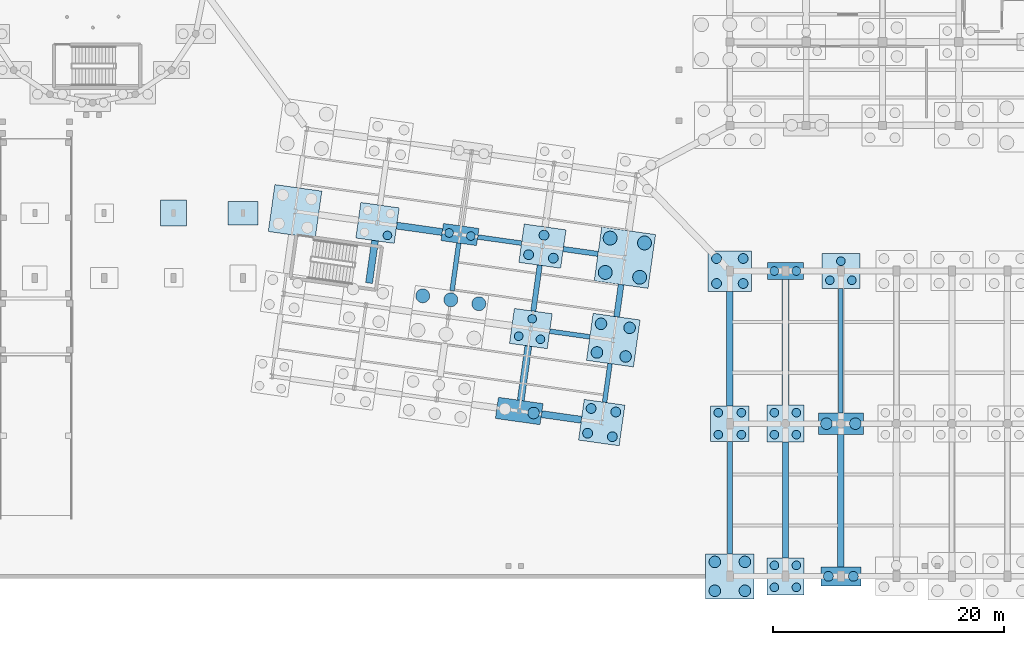
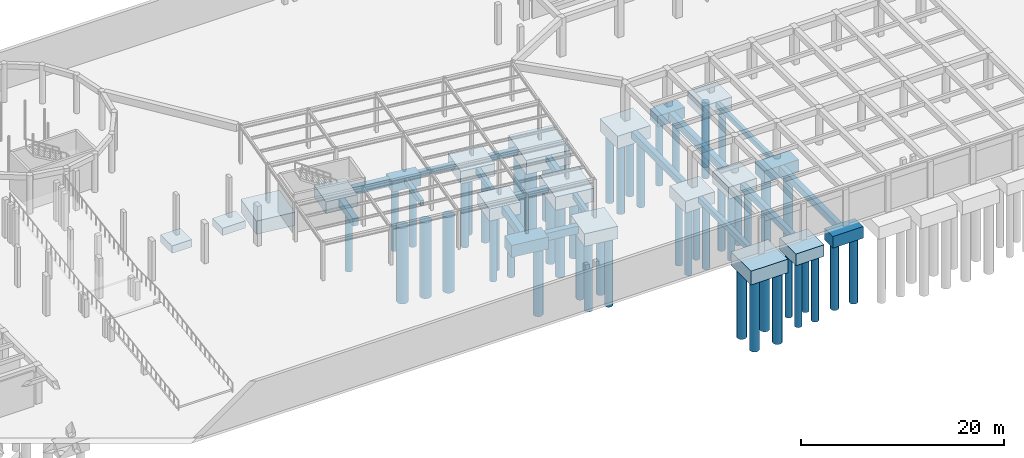
# One storey, part 6 of 34: 54 piles, 37 footings.
"""IFC4 building model written with IfcOpenShell, lengths in metres."""

from ifc_helpers import new_model, si_unit, direction, frame, origin, origin_2d, place, context, subcontext, project, spatial, rectangle, circle, extrude, material, material_profile, profile_set, type_object, element, save


model = new_model("IFC4")

# Units and contexts
model_context = context("Model", 3, precision=1e-05, world=origin(), true_north=direction((0.0, 1.0)))
body_context = subcontext(model_context, "Body", "Model", "MODEL_VIEW")
ifc_project = project(units=[si_unit("LENGTHUNIT", "METRE"), si_unit("AREAUNIT", "SQUARE_METRE"), si_unit("VOLUMEUNIT", "CUBIC_METRE"), si_unit("PLANEANGLEUNIT", "RADIAN"), si_unit("MASSUNIT", "GRAM", prefix="KILO")], contexts=[model_context])

# Site, building, storey
site_placement = place(None, origin())
site = spatial("IfcSite", under=ifc_project, at=site_placement, CompositionType="ELEMENT")
building_placement = place(site_placement, origin())
building = spatial("IfcBuilding", under=site, at=building_placement, Name="Kharisveld Research Institute", CompositionType="ELEMENT")
storey_placement = place(building_placement, frame((0.0, 0.0, -4.800048828125)))
storey = spatial("IfcBuildingStorey", under=building, at=storey_placement, Name="B1", CompositionType="ELEMENT", Elevation=-4.800048828125)

# Footings
ifc_material_1 = material(Name="Concrete C35/45", Category="concrete")
ifc_material_profile_1 = material_profile(ifc_material_1, rectangle(XDim=0.449951171875, YDim=0.64990234375, at=origin_2d()))
ifc_profile_set_1 = profile_set([ifc_material_profile_1], Name="Concrete C35/45")
footing_type_1 = type_object("IfcFootingType", Name="GB_01", PredefinedType="FOOTING_BEAM", material=ifc_profile_set_1)
footing_1_placement = place(storey_placement, frame((100.201171875, 28.499755859375, -0.77490234375), z_axis=(0.99026179495, -0.139217734009, 0.0), x_axis=(0.139217734009, 0.99026179495, 0.0)))
element("IfcFooting", 1, at=footing_1_placement, inside=storey, type_object=footing_type_1, Name="FTG:GB:V4:U3_2", PredefinedType="FOOTING_BEAM", context=body_context, shape_type="SweptSolid", body=[
    extrude(rectangle(XDim=0.449951171875, YDim=0.64990234375, at=origin_2d()), origin(), (0.0, 0.0, 1.0), 3.025146484375),
])
footing_2_placement = place(storey_placement, frame((97.60400390625, 23.134033203125, -0.77490234375), z_axis=(0.139224904753, 0.990260786811, 0.0), x_axis=(-0.990260786811, 0.139224904753, 0.0)))
element("IfcFooting", 2, at=footing_2_placement, inside=storey, type_object=footing_type_1, Name="FTG:GB:V4:V3_1", PredefinedType="FOOTING_BEAM", context=body_context, shape_type="SweptSolid", body=[
    extrude(rectangle(XDim=0.449951171875, YDim=0.64990234375, at=origin_2d()), origin(), (0.0, 0.0, 1.0), 4.0),
])
footing_3_placement = place(storey_placement, frame((114.60009765625, 2.14990234375, -0.77490234375), z_axis=(0.0, 1.0, 0.0), x_axis=(-1.0, 0.0, 0.0)))
element("IfcFooting", 3, at=footing_3_placement, inside=storey, type_object=footing_type_1, Name="FTG:GB:V5:V0_0", PredefinedType="FOOTING_BEAM", context=body_context, shape_type="SweptSolid", body=[
    extrude(rectangle(XDim=0.449951171875, YDim=0.64990234375, at=origin_2d()), origin(), (0.0, 0.0, 1.0), 9.7001953125),
])
ifc_material_2 = material(Name="Concrete C35/45", Category="concrete")
ifc_material_profile_2 = material_profile(ifc_material_2, rectangle(XDim=0.5, YDim=0.75, at=origin_2d()))
ifc_profile_set_2 = profile_set([ifc_material_profile_2], Name="Concrete C35/45")
footing_type_2 = type_object("IfcFootingType", Name="GB_02", PredefinedType="FOOTING_BEAM", material=ifc_profile_set_2)
footing_4_placement = place(storey_placement, frame((104.80712890625, 22.65185546875, -0.824951171875), z_axis=(0.139162647043, 0.990269537888, 0.0), x_axis=(-0.990269537888, 0.139162647043, 0.0)))
element("IfcFooting", 4, at=footing_4_placement, inside=storey, type_object=footing_type_2, Name="FTG:GB:V4:V4_1", PredefinedType="FOOTING_BEAM", context=body_context, shape_type="SweptSolid", body=[
    extrude(rectangle(XDim=0.5, YDim=0.75, at=origin_2d()), origin(), (0.0, 0.0, 1.0), 2.800048828125),
])
footing_5_placement = place(storey_placement, frame((119.39990234375, 1.800048828125, -0.824951171875), z_axis=(0.0, 1.0, 0.0), x_axis=(-1.0, 0.0, 0.0)))
element("IfcFooting", 5, at=footing_5_placement, inside=storey, type_object=footing_type_2, Name="FTG:GB:V5:V1_0", PredefinedType="FOOTING_BEAM", context=body_context, shape_type="SweptSolid", body=[
    extrude(rectangle(XDim=0.5, YDim=0.75, at=origin_2d()), origin(), (0.0, 0.0, 1.0), 10.0),
])
ifc_material_3 = material(Name="Concrete C35/45", Category="concrete")
ifc_material_profile_3 = material_profile(ifc_material_3, rectangle(XDim=0.550048828125, YDim=0.85009765625, at=origin_2d()))
ifc_profile_set_3 = profile_set([ifc_material_profile_3], Name="Concrete C35/45")
footing_type_3 = type_object("IfcFootingType", Name="GB_03", PredefinedType="FOOTING_BEAM", material=ifc_profile_set_3)
footing_6_placement = place(storey_placement, frame((114.60009765625, 14.949951171875, -0.875), z_axis=(0.0, 1.0, 0.0), x_axis=(-1.0, 0.0, 0.0)))
element("IfcFooting", 6, at=footing_6_placement, inside=storey, type_object=footing_type_3, Name="FTG:GB:V5:V0_1", PredefinedType="FOOTING_BEAM", context=body_context, shape_type="SweptSolid", body=[
    extrude(rectangle(XDim=0.550048828125, YDim=0.85009765625, at=origin_2d()), origin(), (0.0, 0.0, 1.0), 9.900146484375),
])
footing_7_placement = place(storey_placement, frame((124.199951171875, 1.02490234375, -0.875), z_axis=(0.0, 1.0, 0.0), x_axis=(-1.0, 0.0, 0.0)))
element("IfcFooting", 7, at=footing_7_placement, inside=storey, type_object=footing_type_3, Name="FTG:GB:V5:V2_0", PredefinedType="FOOTING_BEAM", context=body_context, shape_type="SweptSolid", body=[
    extrude(rectangle(XDim=0.550048828125, YDim=0.85009765625, at=origin_2d()), origin(), (0.0, 0.0, 1.0), 11.4501953125),
])
ifc_material_4 = material(Name="Concrete C35/45", Category="concrete")
ifc_material_profile_4 = material_profile(ifc_material_4, rectangle(XDim=0.60009765625, YDim=0.89990234375, at=origin_2d()))
ifc_profile_set_4 = profile_set([ifc_material_profile_4], Name="Concrete C35/45")
footing_type_4 = type_object("IfcFootingType", Name="GB_04", PredefinedType="FOOTING_BEAM", material=ifc_profile_set_4)
footing_8_placement = place(storey_placement, frame((98.32080078125, 14.222412109375, -0.89990234375), z_axis=(0.990267323792, -0.13917840145, 0.0), x_axis=(0.13917840145, 0.990267323792, 0.0)))
element("IfcFooting", 8, at=footing_8_placement, inside=storey, type_object=footing_type_4, Name="FTG:GB:V4:U3_0", PredefinedType="FOOTING_BEAM", context=body_context, shape_type="SweptSolid", body=[
    extrude(rectangle(XDim=0.60009765625, YDim=0.89990234375, at=origin_2d()), origin(), (0.0, 0.0, 1.0), 3.47509765625),
])
footing_9_placement = place(storey_placement, frame((85.792724609375, 30.524658203125, -0.89990234375), z_axis=(0.990267559816, -0.139176722108, 0.0), x_axis=(0.139176722108, 0.990267559816, 0.0)))
element("IfcFooting", 9, at=footing_9_placement, inside=storey, type_object=footing_type_4, Name="FTG:GB:V4:U1_2", PredefinedType="FOOTING_BEAM", context=body_context, shape_type="SweptSolid", body=[
    extrude(rectangle(XDim=0.60009765625, YDim=0.89990234375, at=origin_2d()), origin(), (0.0, 0.0, 1.0), 3.974853515625),
])
footing_10_placement = place(storey_placement, frame((83.4033203125, 25.558837890625, -0.89990234375), z_axis=(0.139157775794, 0.990270222432, 0.0), x_axis=(-0.990270222432, 0.139157775794, 0.0)))
element("IfcFooting", 10, at=footing_10_placement, inside=storey, type_object=footing_type_4, Name="FTG:GB:V4:V1_1", PredefinedType="FOOTING_BEAM", context=body_context, shape_type="SweptSolid", body=[
    extrude(rectangle(XDim=0.60009765625, YDim=0.89990234375, at=origin_2d()), origin(), (0.0, 0.0, 1.0), 3.699951171875),
])
footing_11_placement = place(storey_placement, frame((96.5185546875, 15.409912109375, -0.89990234375), z_axis=(0.139190252371, 0.990265658116, 0.0), x_axis=(-0.990265658116, 0.139190252371, 0.0)))
element("IfcFooting", 11, at=footing_11_placement, inside=storey, type_object=footing_type_4, Name="FTG:GB:V4:V3_0", PredefinedType="FOOTING_BEAM", context=body_context, shape_type="SweptSolid", body=[
    extrude(rectangle(XDim=0.60009765625, YDim=0.89990234375, at=origin_2d()), origin(), (0.0, 0.0, 1.0), 4.749755859375),
])
footing_12_placement = place(storey_placement, frame((119.39990234375, 15.0, -0.89990234375), z_axis=(0.0, 1.0, 0.0), x_axis=(-1.0, 0.0, 0.0)))
element("IfcFooting", 12, at=footing_12_placement, inside=storey, type_object=footing_type_4, Name="FTG:GB:V5:V1_1", PredefinedType="FOOTING_BEAM", context=body_context, shape_type="SweptSolid", body=[
    extrude(rectangle(XDim=0.60009765625, YDim=0.89990234375, at=origin_2d()), origin(), (0.0, 0.0, 1.0), 10.85009765625),
])
ifc_material_5 = material(Name="Concrete C35/45", Category="concrete")
ifc_material_profile_5 = material_profile(ifc_material_5, rectangle(XDim=0.39990234375, YDim=0.60009765625, at=origin_2d()))
ifc_profile_set_5 = profile_set([ifc_material_profile_5], Name="Concrete C35/45")
footing_type_5 = type_object("IfcFootingType", Name="GB_05", PredefinedType="FOOTING_BEAM", material=ifc_profile_set_5)
footing_13_placement = place(storey_placement, frame((99.02587890625, 21.39404296875, -0.75), z_axis=(0.990269200152, -0.139165050317, 0.0), x_axis=(0.139165050317, 0.990269200152, 0.0)))
element("IfcFooting", 13, at=footing_13_placement, inside=storey, type_object=footing_type_5, Name="FTG:GB:V4:U3_1", PredefinedType="FOOTING_BEAM", context=body_context, shape_type="SweptSolid", body=[
    extrude(rectangle(XDim=0.39990234375, YDim=0.60009765625, at=origin_2d()), origin(), (0.0, 0.0, 1.0), 3.499755859375),
])
footing_14_placement = place(storey_placement, frame((92.798828125, 29.5400390625, -0.75), z_axis=(0.9902723878, -0.139142365801, 0.0), x_axis=(0.139142365801, 0.9902723878, 0.0)))
element("IfcFooting", 14, at=footing_14_placement, inside=storey, type_object=footing_type_5, Name="FTG:GB:V4:U2_2", PredefinedType="FOOTING_BEAM", context=body_context, shape_type="SweptSolid", body=[
    extrude(rectangle(XDim=0.39990234375, YDim=0.60009765625, at=origin_2d()), origin(), (0.0, 0.0, 1.0), 3.824951171875),
])
footing_15_placement = place(storey_placement, frame((90.58203125, 24.903564453125, -0.75), z_axis=(0.139189030677, 0.990265829835, 0.0), x_axis=(-0.990265829835, 0.139189030677, 0.0)))
element("IfcFooting", 15, at=footing_15_placement, inside=storey, type_object=footing_type_5, Name="FTG:GB:V4:V2_1", PredefinedType="FOOTING_BEAM", context=body_context, shape_type="SweptSolid", body=[
    extrude(rectangle(XDim=0.39990234375, YDim=0.60009765625, at=origin_2d()), origin(), (0.0, 0.0, 1.0), 4.14990234375),
])
footing_16_placement = place(storey_placement, frame((103.766845703125, 15.24951171875, -0.75), z_axis=(0.139172815303, 0.990268108888, 0.0), x_axis=(-0.990268108888, 0.139172815303, 0.0)))
element("IfcFooting", 16, at=footing_16_placement, inside=storey, type_object=footing_type_5, Name="FTG:GB:V4:V4_0", PredefinedType="FOOTING_BEAM", context=body_context, shape_type="SweptSolid", body=[
    extrude(rectangle(XDim=0.39990234375, YDim=0.60009765625, at=origin_2d()), origin(), (0.0, 0.0, 1.0), 3.375244140625),
])
footing_17_placement = place(storey_placement, frame((124.199951171875, 14.324951171875, -0.75), z_axis=(0.0, 1.0, 0.0), x_axis=(-1.0, 0.0, 0.0)))
element("IfcFooting", 17, at=footing_17_placement, inside=storey, type_object=footing_type_5, Name="FTG:GB:V5:V2_1", PredefinedType="FOOTING_BEAM", context=body_context, shape_type="SweptSolid", body=[
    extrude(rectangle(XDim=0.39990234375, YDim=0.60009765625, at=origin_2d()), origin(), (0.0, 0.0, 1.0), 10.75),
])
ifc_material_6 = material(Name="Concrete C35/45", Category="concrete")
footing_type_6 = type_object("IfcFootingType", Name="PC_2P_A", PredefinedType="PILE_CAP", material=ifc_material_6)
for number, where, z_axis, x_axis, name in (
    (18, (91.263916015625, 29.755859375, -1.75), (0.0, 0.0, 1.0), (0.990268068742, -0.13917310096, 0.0), "FTG:V4:U2V2"),
    (19, (119.39990234375, 26.60009765625, -1.75), (0.0, 0.0, 1.0), (1.0, 0.0, 0.0), "FTG:V5:U1V2"),
):
    element("IfcFooting", number, at=place(storey_placement, frame(where, z_axis=z_axis, x_axis=x_axis)), inside=storey, type_object=footing_type_6, Name=name, PredefinedType="PILE_CAP", context=body_context, shape_type="SweptSolid", body=[
        extrude(rectangle(XDim=3.10009765625, YDim=1.5, at=origin_2d()), origin(), (0.0, 0.0, 1.0), 1.300048828125),
    ])
ifc_material_7 = material(Name="Concrete C35/45", Category="concrete")
footing_type_7 = type_object("IfcFootingType", Name="PC_2P_B", PredefinedType="PILE_CAP", material=ifc_material_7)
footing_18_placement = place(storey_placement, frame((124.199951171875, 0.199951171875, -1.849853515625), z_axis=(0.0, 0.0, 1.0), x_axis=(1.0, 0.0, 0.0)))
element("IfcFooting", 20, at=footing_18_placement, inside=storey, type_object=footing_type_7, Name="FTG:V5:U2V0", PredefinedType="PILE_CAP", context=body_context, shape_type="SweptSolid", body=[
    extrude(rectangle(XDim=3.449951171875, YDim=1.64990234375, at=origin_2d()), origin(), (0.0, 0.0, 1.0), 1.39990234375),
])
ifc_material_8 = material(Name="Concrete C35/45", Category="concrete")
footing_type_8 = type_object("IfcFootingType", Name="PC_2P_C", PredefinedType="PILE_CAP", material=ifc_material_8)
for number, where, z_axis, x_axis, name in (
    (21, (96.389892578125, 14.493896484375, -1.89990234375), (0.0, 0.0, 1.0), (0.990268068742, -0.13917310096, 0.0), "FTG:V4:U3V0"),
    (22, (124.199951171875, 13.39990234375, -1.89990234375), (0.0, 0.0, 1.0), (1.0, 0.0, 0.0), "FTG:V5:U2V1"),
):
    element("IfcFooting", number, at=place(storey_placement, frame(where, z_axis=z_axis, x_axis=x_axis)), inside=storey, type_object=footing_type_8, Name=name, PredefinedType="PILE_CAP", context=body_context, shape_type="SweptSolid", body=[
        extrude(rectangle(XDim=3.89990234375, YDim=1.85009765625, at=origin_2d()), origin(), (0.0, 0.0, 1.0), 1.449951171875),
    ])
ifc_material_9 = material(Name="Concrete C35/45", Category="concrete")
footing_type_9 = type_object("IfcFootingType", Name="PC_3P_A", PredefinedType="PILE_CAP", material=ifc_material_9)
for number, where, z_axis, x_axis, name in (
    (23, (97.391845703125, 21.623779296875, -1.89990234375), (0.0, 0.0, 1.0), (0.990268068742, -0.13917310096, 0.0), "FTG:V4:U3V1"),
    (24, (124.199951171875, 26.60009765625, -1.89990234375), (0.0, 0.0, 1.0), (1.0, 0.0, 0.0), "FTG:V5:U2V2"),
):
    element("IfcFooting", number, at=place(storey_placement, frame(where, z_axis=z_axis, x_axis=x_axis)), inside=storey, type_object=footing_type_9, Name=name, PredefinedType="PILE_CAP", context=body_context, shape_type="SweptSolid", body=[
        extrude(rectangle(XDim=3.300048828125, YDim=3.050048828125, at=origin_2d()), origin(), (0.0, 0.0, 1.0), 1.449951171875),
    ])
ifc_material_10 = material(Name="Concrete C35/45", Category="concrete")
footing_type_10 = type_object("IfcFootingType", Name="PC_3P_B", PredefinedType="PILE_CAP", material=ifc_material_10)
footing_19_placement = place(storey_placement, frame((98.393798828125, 28.753662109375, -1.949951171875), z_axis=(0.0, 0.0, 1.0), x_axis=(0.990268068742, -0.13917310096, 0.0)))
element("IfcFooting", 25, at=footing_19_placement, inside=storey, type_object=footing_type_10, Name="FTG:V4:U3V2", PredefinedType="PILE_CAP", context=body_context, shape_type="SweptSolid", body=[
    extrude(rectangle(XDim=3.64990234375, YDim=3.35009765625, at=origin_2d()), origin(), (0.0, 0.0, 1.0), 1.5),
])
ifc_material_11 = material(Name="Concrete C35/45", Category="concrete")
footing_type_11 = type_object("IfcFootingType", Name="PC_4P_A", PredefinedType="PILE_CAP", material=ifc_material_11)
for number, where, z_axis, x_axis, name in (
    (26, (119.39990234375, 0.199951171875, -1.849853515625), (0.0, 0.0, 1.0), (1.0, 0.0, 0.0), "FTG:V5:U1V0"),
    (27, (119.39990234375, 13.39990234375, -1.849853515625), (0.0, 0.0, 1.0), (1.0, 0.0, 0.0), "FTG:V5:U1V1"),
):
    element("IfcFooting", number, at=place(storey_placement, frame(where, z_axis=z_axis, x_axis=x_axis)), inside=storey, type_object=footing_type_11, Name=name, PredefinedType="PILE_CAP", context=body_context, shape_type="SweptSolid", body=[
        extrude(rectangle(XDim=3.199951171875, YDim=3.199951171875, at=origin_2d()), origin(), (0.0, 0.0, 1.0), 1.39990234375),
    ])
ifc_material_12 = material(Name="Concrete C35/45", Category="concrete")
footing_type_12 = type_object("IfcFootingType", Name="PC_4P_B", PredefinedType="PILE_CAP", material=ifc_material_12)
footing_20_placement = place(storey_placement, frame((103.519775390625, 13.49169921875, -1.949951171875), z_axis=(0.0, 0.0, 1.0), x_axis=(0.990268068742, -0.13917310096, 0.0)))
element("IfcFooting", 28, at=footing_20_placement, inside=storey, type_object=footing_type_12, Name="FTG:V4:U4V0", PredefinedType="PILE_CAP", context=body_context, shape_type="SweptSolid", body=[
    extrude(rectangle(XDim=3.550048828125, YDim=3.550048828125, at=origin_2d()), origin(), (0.0, 0.0, 1.0), 1.5),
])
ifc_material_13 = material(Name="Concrete C35/45", Category="concrete")
footing_type_13 = type_object("IfcFootingType", Name="PC_4P_C", PredefinedType="PILE_CAP", material=ifc_material_13)
for number, where, z_axis, x_axis, name in (
    (29, (77.004150390625, 31.759765625, -2.050048828125), (0.0, 0.0, 1.0), (0.990268068742, -0.13917310096, 0.0), "FTG:V4:U0V2"),
    (30, (104.521728515625, 20.621826171875, -2.050048828125), (0.0, 0.0, 1.0), (0.990268068742, -0.13917310096, 0.0), "FTG:V4:U4V1"),
):
    element("IfcFooting", number, at=place(storey_placement, frame(where, z_axis=z_axis, x_axis=x_axis)), inside=storey, type_object=footing_type_13, Name=name, PredefinedType="PILE_CAP", context=body_context, shape_type="SweptSolid", body=[
        extrude(rectangle(XDim=4.10009765625, YDim=4.10009765625, at=origin_2d()), origin(), (0.0, 0.0, 1.0), 1.60009765625),
    ])
ifc_material_14 = material(Name="Concrete C35/45", Category="concrete")
footing_type_14 = type_object("IfcFootingType", Name="PC_4P_D", PredefinedType="PILE_CAP", material=ifc_material_14)
footing_21_placement = place(storey_placement, frame((105.52392578125, 27.751708984375, -2.14990234375), z_axis=(0.0, 0.0, 1.0), x_axis=(0.990268068742, -0.13917310096, 0.0)))
element("IfcFooting", 31, at=footing_21_placement, inside=storey, type_object=footing_type_14, Name="FTG:V4:U4V2", PredefinedType="PILE_CAP", context=body_context, shape_type="SweptSolid", body=[
    extrude(rectangle(XDim=4.699951171875, YDim=4.699951171875, at=origin_2d()), origin(), (0.0, 0.0, 1.0), 1.699951171875),
])
ifc_material_15 = material(Name="Concrete C35/45", Category="concrete")
footing_type_15 = type_object("IfcFootingType", Name="PC_4P_F", PredefinedType="PILE_CAP", material=ifc_material_15)
footing_22_placement = place(storey_placement, frame((114.60009765625, 0.199951171875, -2.099853515625), z_axis=(0.0, 0.0, 1.0), x_axis=(1.0, 0.0, 0.0)))
element("IfcFooting", 32, at=footing_22_placement, inside=storey, type_object=footing_type_15, Name="FTG:V5:U0V0", PredefinedType="PILE_CAP", context=body_context, shape_type="SweptSolid", body=[
    extrude(rectangle(XDim=4.199951171875, YDim=3.89990234375, at=origin_2d()), origin(), (0.0, 0.0, 1.0), 1.64990234375),
])
ifc_material_16 = material(Name="Concrete C35/45", Category="concrete")
footing_type_16 = type_object("IfcFootingType", Name="PC_4P_G", PredefinedType="PILE_CAP", material=ifc_material_16)
for number, where, z_axis, x_axis, name in (
    (33, (84.134033203125, 30.7578125, -1.869873046875), (0.0, 0.0, 1.0), (0.990268068742, -0.13917310096, 0.0), "FTG:V4:U1V2"),
    (34, (114.60009765625, 13.39990234375, -1.869873046875), (0.0, 0.0, 1.0), (1.0, 0.0, 0.0), "FTG:V5:U0V1"),
):
    element("IfcFooting", number, at=place(storey_placement, frame(where, z_axis=z_axis, x_axis=x_axis)), inside=storey, type_object=footing_type_16, Name=name, PredefinedType="PILE_CAP", context=body_context, shape_type="SweptSolid", body=[
        extrude(rectangle(XDim=3.35009765625, YDim=3.10009765625, at=origin_2d()), origin(), (0.0, 0.0, 1.0), 1.419921875),
    ])
ifc_material_17 = material(Name="Concrete C35/45", Category="concrete")
footing_type_17 = type_object("IfcFootingType", Name="PC_4P_H", PredefinedType="PILE_CAP", material=ifc_material_17)
footing_23_placement = place(storey_placement, frame((114.60009765625, 26.60009765625, -1.969970703125), z_axis=(0.0, 0.0, 1.0), x_axis=(1.0, 0.0, 0.0)))
element("IfcFooting", 35, at=footing_23_placement, inside=storey, type_object=footing_type_17, Name="FTG:V5:U0V2", PredefinedType="PILE_CAP", context=body_context, shape_type="SweptSolid", body=[
    extrude(rectangle(XDim=3.75, YDim=3.5, at=origin_2d()), origin(), (0.0, 0.0, 1.0), 1.52001953125),
])
ifc_material_18 = material(Name="Concrete C35/45", Category="concrete")
footing_type_18 = type_object("IfcFootingType", Name="PF_05", PredefinedType="PAD_FOOTING", material=ifc_material_18)
footing_24_placement = place(storey_placement, frame((66.5, 31.60009765625, -1.349853515625), z_axis=(0.0, 0.0, 1.0), x_axis=(1.0, 0.0, 0.0)))
element("IfcFooting", 36, at=footing_24_placement, inside=storey, type_object=footing_type_18, Name="FTG:ARC:PF4_2", PredefinedType="PAD_FOOTING", context=body_context, shape_type="SweptSolid", body=[
    extrude(rectangle(XDim=2.25, YDim=2.25, at=origin_2d()), origin(), (0.0, 0.0, 1.0), 0.89990234375),
])
ifc_material_19 = material(Name="Concrete C35/45", Category="concrete")
footing_type_19 = type_object("IfcFootingType", Name="PF_06", PredefinedType="PAD_FOOTING", material=ifc_material_19)
footing_25_placement = place(storey_placement, frame((72.5, 31.60009765625, -1.329833984375), z_axis=(0.0, 0.0, 1.0), x_axis=(1.0, 0.0, 0.0)))
element("IfcFooting", 37, at=footing_25_placement, inside=storey, type_object=footing_type_19, Name="FTG:ARC:PF5_2", PredefinedType="PAD_FOOTING", context=body_context, shape_type="SweptSolid", body=[
    extrude(rectangle(XDim=2.60009765625, YDim=2.0, at=origin_2d()), origin(), (0.0, 0.0, 1.0), 0.8798828125),
])

# Piles
ifc_material_20 = material(Name="Concrete C40/50", Category="concrete")
ifc_material_profile_6 = material_profile(ifc_material_20, circle(Radius=0.5, at=origin_2d()))
ifc_profile_set_6 = profile_set([ifc_material_profile_6], Name="Concrete C40/50")
pile_type_1 = type_object("IfcPileType", Name="PILE_D1000", PredefinedType="BORED", material=ifc_profile_set_6)
pile_1_placement = place(storey_placement, frame((97.627685546875, 14.31982421875, -1.800048828125), z_axis=(0.0, 0.0, -1.0), x_axis=(1.0, 0.0, 0.0)))
element("IfcPile", 38, at=pile_1_placement, inside=storey, type_object=pile_type_1, Name="PILE:V4:U3V0:P2", PredefinedType="BORED", context=body_context, shape_type="SweptSolid", body=[
    extrude(circle(Radius=0.5, at=origin_2d()), origin(), (0.0, 0.0, 1.0), 8.300048828125),
])
for number, where, z_axis, x_axis, name in (
    (39, (103.10986328125, 19.557861328125, -1.949951171875), (0.0, 0.0, -1.0), (1.0, 0.0, 0.0), "PILE:V4:U4V1:P1"),
    (40, (105.585693359375, 19.2099609375, -1.949951171875), (0.0, 0.0, -1.0), (1.0, 0.0, 0.0), "PILE:V4:U4V1:P2"),
    (41, (105.93359375, 21.685546875, -1.949951171875), (0.0, 0.0, -1.0), (1.0, 0.0, 0.0), "PILE:V4:U4V1:P3"),
    (42, (103.4580078125, 22.033447265625, -1.949951171875), (0.0, 0.0, -1.0), (1.0, 0.0, 0.0), "PILE:V4:U4V1:P4"),
):
    element("IfcPile", number, at=place(storey_placement, frame(where, z_axis=z_axis, x_axis=x_axis)), inside=storey, type_object=pile_type_1, Name=name, PredefinedType="BORED", context=body_context, shape_type="SweptSolid", body=[
        extrude(circle(Radius=0.5, at=origin_2d()), origin(), (0.0, 0.0, 1.0), 8.60009765625),
    ])
for number, where, z_axis, x_axis, name in (
    (43, (113.300048828125, -1.050048828125, -2.0), (0.0, 0.0, -1.0), (1.0, 0.0, 0.0), "PILE:V5:U0V0:P1"),
    (44, (115.89990234375, -1.050048828125, -2.0), (0.0, 0.0, -1.0), (1.0, 0.0, 0.0), "PILE:V5:U0V0:P2"),
    (45, (115.89990234375, 1.449951171875, -2.0), (0.0, 0.0, -1.0), (1.0, 0.0, 0.0), "PILE:V5:U0V0:P3"),
    (46, (113.300048828125, 1.449951171875, -2.0), (0.0, 0.0, -1.0), (1.0, 0.0, 0.0), "PILE:V5:U0V0:P4"),
):
    element("IfcPile", number, at=place(storey_placement, frame(where, z_axis=z_axis, x_axis=x_axis)), inside=storey, type_object=pile_type_1, Name=name, PredefinedType="BORED", context=body_context, shape_type="SweptSolid", body=[
        extrude(circle(Radius=0.5, at=origin_2d()), origin(), (0.0, 0.0, 1.0), 8.5),
    ])
for number, where, z_axis, x_axis, name in (
    (47, (122.949951171875, 13.39990234375, -1.800048828125), (0.0, 0.0, -1.0), (1.0, 0.0, 0.0), "PILE:V5:U2V1:P1"),
    (48, (125.449951171875, 13.39990234375, -1.800048828125), (0.0, 0.0, -1.0), (1.0, 0.0, 0.0), "PILE:V5:U2V1:P2"),
):
    element("IfcPile", number, at=place(storey_placement, frame(where, z_axis=z_axis, x_axis=x_axis)), inside=storey, type_object=pile_type_1, Name=name, PredefinedType="BORED", context=body_context, shape_type="SweptSolid", body=[
        extrude(circle(Radius=0.5, at=origin_2d()), origin(), (0.0, 0.0, 1.0), 8.300048828125),
    ])
ifc_material_21 = material(Name="Concrete C40/50", Category="concrete")
ifc_material_profile_7 = material_profile(ifc_material_21, circle(Radius=0.60009765625, at=origin_2d()))
ifc_profile_set_7 = profile_set([ifc_material_profile_7], Name="Concrete C40/50")
pile_type_2 = type_object("IfcPileType", Name="PILE_D1200", PredefinedType="BORED", material=ifc_profile_set_7)
for number, where, z_axis, x_axis, name in (
    (49, (88.04443359375, 24.4521484375, -2.199951171875), (0.0, 0.0, -1.0), (1.0, 0.0, 0.0), "PILE:V4:U2V1:P4"),
    (50, (90.470703125, 24.111328125, -2.199951171875), (0.0, 0.0, -1.0), (1.0, 0.0, 0.0), "PILE:V4:U2V1:P5"),
    (51, (92.896728515625, 23.770263671875, -2.199951171875), (0.0, 0.0, -1.0), (1.0, 0.0, 0.0), "PILE:V4:U2V1:P6"),
):
    element("IfcPile", number, at=place(storey_placement, frame(where, z_axis=z_axis, x_axis=x_axis)), inside=storey, type_object=pile_type_2, Name=name, PredefinedType="BORED", context=body_context, shape_type="SweptSolid", body=[
        extrude(circle(Radius=0.60009765625, at=origin_2d()), origin(), (0.0, 0.0, 1.0), 9.10009765625),
    ])
for number, where, z_axis, x_axis, name in (
    (52, (103.82958984375, 26.47509765625, -2.050048828125), (0.0, 0.0, -1.0), (1.0, 0.0, 0.0), "PILE:V4:U4V2:P1"),
    (53, (106.800537109375, 26.0576171875, -2.050048828125), (0.0, 0.0, -1.0), (1.0, 0.0, 0.0), "PILE:V4:U4V2:P2"),
    (54, (107.218017578125, 29.0283203125, -2.050048828125), (0.0, 0.0, -1.0), (1.0, 0.0, 0.0), "PILE:V4:U4V2:P3"),
    (55, (104.2470703125, 29.44580078125, -2.050048828125), (0.0, 0.0, -1.0), (1.0, 0.0, 0.0), "PILE:V4:U4V2:P4"),
):
    element("IfcPile", number, at=place(storey_placement, frame(where, z_axis=z_axis, x_axis=x_axis)), inside=storey, type_object=pile_type_2, Name=name, PredefinedType="BORED", context=body_context, shape_type="SweptSolid", body=[
        extrude(circle(Radius=0.60009765625, at=origin_2d()), origin(), (0.0, 0.0, 1.0), 8.89990234375),
    ])
ifc_material_22 = material(Name="Concrete C40/50", Category="concrete")
ifc_material_profile_8 = material_profile(ifc_material_22, circle(Radius=0.375, at=origin_2d()))
ifc_profile_set_8 = profile_set([ifc_material_profile_8], Name="Concrete C40/50")
pile_type_3 = type_object("IfcPileType", Name="PILE_D750", PredefinedType="BORED", material=ifc_profile_set_8)
pile_2_placement = place(storey_placement, frame((84.9921875, 29.677978515625, -1.77001953125), z_axis=(0.0, 0.0, -1.0), x_axis=(1.0, 0.0, 0.0)))
element("IfcPile", 56, at=pile_2_placement, inside=storey, type_object=pile_type_3, Name="PILE:V4:U1V2:P2", PredefinedType="BORED", context=body_context, shape_type="SweptSolid", body=[
    extrude(circle(Radius=0.375, at=origin_2d()), origin(), (0.0, 0.0, 1.0), 7.949951171875),
])
for number, where, z_axis, x_axis, name in (
    (57, (90.3232421875, 29.887939453125, -1.64990234375), (0.0, 0.0, -1.0), (1.0, 0.0, 0.0), "PILE:V4:U2V2:P1"),
    (58, (92.20458984375, 29.62353515625, -1.64990234375), (0.0, 0.0, -1.0), (1.0, 0.0, 0.0), "PILE:V4:U2V2:P2"),
):
    element("IfcPile", number, at=place(storey_placement, frame(where, z_axis=z_axis, x_axis=x_axis)), inside=storey, type_object=pile_type_3, Name=name, PredefinedType="BORED", context=body_context, shape_type="SweptSolid", body=[
        extrude(circle(Radius=0.375, at=origin_2d()), origin(), (0.0, 0.0, 1.0), 7.60009765625),
    ])
for number, where, z_axis, x_axis, name in (
    (59, (96.33984375, 20.9638671875, -1.800048828125), (0.0, 0.0, -1.0), (1.0, 0.0, 0.0), "PILE:V4:U3V1:P1"),
    (60, (98.22119140625, 20.699462890625, -1.800048828125), (0.0, 0.0, -1.0), (1.0, 0.0, 0.0), "PILE:V4:U3V1:P2"),
    (61, (97.51025390625, 22.465576171875, -1.800048828125), (0.0, 0.0, -1.0), (1.0, 0.0, 0.0), "PILE:V4:U3V1:P3"),
):
    element("IfcPile", number, at=place(storey_placement, frame(where, z_axis=z_axis, x_axis=x_axis)), inside=storey, type_object=pile_type_3, Name=name, PredefinedType="BORED", context=body_context, shape_type="SweptSolid", body=[
        extrude(circle(Radius=0.375, at=origin_2d()), origin(), (0.0, 0.0, 1.0), 7.800048828125),
    ])
for number, where, z_axis, x_axis, name in (
    (62, (113.60009765625, 12.449951171875, -1.77001953125), (0.0, 0.0, -1.0), (1.0, 0.0, 0.0), "PILE:V5:U0V1:P1"),
    (63, (115.60009765625, 12.449951171875, -1.77001953125), (0.0, 0.0, -1.0), (1.0, 0.0, 0.0), "PILE:V5:U0V1:P2"),
    (64, (115.60009765625, 14.35009765625, -1.77001953125), (0.0, 0.0, -1.0), (1.0, 0.0, 0.0), "PILE:V5:U0V1:P3"),
    (65, (113.60009765625, 14.35009765625, -1.77001953125), (0.0, 0.0, -1.0), (1.0, 0.0, 0.0), "PILE:V5:U0V1:P4"),
):
    element("IfcPile", number, at=place(storey_placement, frame(where, z_axis=z_axis, x_axis=x_axis)), inside=storey, type_object=pile_type_3, Name=name, PredefinedType="BORED", context=body_context, shape_type="SweptSolid", body=[
        extrude(circle(Radius=0.375, at=origin_2d()), origin(), (0.0, 0.0, 1.0), 7.949951171875),
    ])
for number, where, z_axis, x_axis, name in (
    (66, (118.449951171875, -0.75, -1.75), (0.0, 0.0, -1.0), (1.0, 0.0, 0.0), "PILE:V5:U1V0:P1"),
    (67, (120.35009765625, -0.75, -1.75), (0.0, 0.0, -1.0), (1.0, 0.0, 0.0), "PILE:V5:U1V0:P2"),
    (68, (120.35009765625, 1.14990234375, -1.75), (0.0, 0.0, -1.0), (1.0, 0.0, 0.0), "PILE:V5:U1V0:P3"),
    (69, (118.449951171875, 1.14990234375, -1.75), (0.0, 0.0, -1.0), (1.0, 0.0, 0.0), "PILE:V5:U1V0:P4"),
    (70, (118.449951171875, 12.449951171875, -1.75), (0.0, 0.0, -1.0), (1.0, 0.0, 0.0), "PILE:V5:U1V1:P1"),
    (71, (120.35009765625, 12.449951171875, -1.75), (0.0, 0.0, -1.0), (1.0, 0.0, 0.0), "PILE:V5:U1V1:P2"),
    (72, (120.35009765625, 14.35009765625, -1.75), (0.0, 0.0, -1.0), (1.0, 0.0, 0.0), "PILE:V5:U1V1:P3"),
    (73, (118.449951171875, 14.35009765625, -1.75), (0.0, 0.0, -1.0), (1.0, 0.0, 0.0), "PILE:V5:U1V1:P4"),
):
    element("IfcPile", number, at=place(storey_placement, frame(where, z_axis=z_axis, x_axis=x_axis)), inside=storey, type_object=pile_type_3, Name=name, PredefinedType="BORED", context=body_context, shape_type="SweptSolid", body=[
        extrude(circle(Radius=0.375, at=origin_2d()), origin(), (0.0, 0.0, 1.0), 7.89990234375),
    ])
for number, where, z_axis, x_axis, name in (
    (74, (118.449951171875, 26.60009765625, -1.64990234375), (0.0, 0.0, -1.0), (1.0, 0.0, 0.0), "PILE:V5:U1V2:P1"),
    (75, (120.35009765625, 26.60009765625, -1.64990234375), (0.0, 0.0, -1.0), (1.0, 0.0, 0.0), "PILE:V5:U1V2:P2"),
):
    element("IfcPile", number, at=place(storey_placement, frame(where, z_axis=z_axis, x_axis=x_axis)), inside=storey, type_object=pile_type_3, Name=name, PredefinedType="BORED", context=body_context, shape_type="SweptSolid", body=[
        extrude(circle(Radius=0.375, at=origin_2d()), origin(), (0.0, 0.0, 1.0), 7.60009765625),
    ])
for number, where, z_axis, x_axis, name in (
    (76, (123.25, 25.800048828125, -1.800048828125), (0.0, 0.0, -1.0), (1.0, 0.0, 0.0), "PILE:V5:U2V2:P1"),
    (77, (125.14990234375, 25.800048828125, -1.800048828125), (0.0, 0.0, -1.0), (1.0, 0.0, 0.0), "PILE:V5:U2V2:P2"),
    (78, (124.199951171875, 27.449951171875, -1.800048828125), (0.0, 0.0, -1.0), (1.0, 0.0, 0.0), "PILE:V5:U2V2:P3"),
):
    element("IfcPile", number, at=place(storey_placement, frame(where, z_axis=z_axis, x_axis=x_axis)), inside=storey, type_object=pile_type_3, Name=name, PredefinedType="BORED", context=body_context, shape_type="SweptSolid", body=[
        extrude(circle(Radius=0.375, at=origin_2d()), origin(), (0.0, 0.0, 1.0), 7.800048828125),
    ])
ifc_material_23 = material(Name="Concrete C40/50", Category="concrete")
ifc_material_profile_9 = material_profile(ifc_material_23, circle(Radius=0.425048828125, at=origin_2d()))
ifc_profile_set_9 = profile_set([ifc_material_profile_9], Name="Concrete C40/50")
pile_type_4 = type_object("IfcPileType", Name="PILE_D850", PredefinedType="BORED", material=ifc_profile_set_9)
for number, where, z_axis, x_axis, name in (
    (79, (97.19921875, 28.0126953125, -1.849853515625), (0.0, 0.0, -1.0), (1.0, 0.0, 0.0), "PILE:V4:U3V2:P1"),
    (80, (99.338134765625, 27.712158203125, -1.849853515625), (0.0, 0.0, -1.0), (1.0, 0.0, 0.0), "PILE:V4:U3V2:P2"),
    (81, (98.526123046875, 29.694580078125, -1.849853515625), (0.0, 0.0, -1.0), (1.0, 0.0, 0.0), "PILE:V4:U3V2:P3"),
):
    element("IfcPile", number, at=place(storey_placement, frame(where, z_axis=z_axis, x_axis=x_axis)), inside=storey, type_object=pile_type_4, Name=name, PredefinedType="BORED", context=body_context, shape_type="SweptSolid", body=[
        extrude(circle(Radius=0.425048828125, at=origin_2d()), origin(), (0.0, 0.0, 1.0), 8.199951171875),
    ])
for number, where, z_axis, x_axis, name in (
    (82, (102.2998046875, 12.57275390625, -1.849853515625), (0.0, 0.0, -1.0), (1.0, 0.0, 0.0), "PILE:V4:U4V0:P1"),
    (83, (104.43896484375, 12.27197265625, -1.849853515625), (0.0, 0.0, -1.0), (1.0, 0.0, 0.0), "PILE:V4:U4V0:P2"),
    (84, (104.739501953125, 14.410888671875, -1.849853515625), (0.0, 0.0, -1.0), (1.0, 0.0, 0.0), "PILE:V4:U4V0:P3"),
    (85, (102.6005859375, 14.711669921875, -1.849853515625), (0.0, 0.0, -1.0), (1.0, 0.0, 0.0), "PILE:V4:U4V0:P4"),
):
    element("IfcPile", number, at=place(storey_placement, frame(where, z_axis=z_axis, x_axis=x_axis)), inside=storey, type_object=pile_type_4, Name=name, PredefinedType="BORED", context=body_context, shape_type="SweptSolid", body=[
        extrude(circle(Radius=0.425048828125, at=origin_2d()), origin(), (0.0, 0.0, 1.0), 8.300048828125),
    ])
for number, where, z_axis, x_axis, name in (
    (86, (113.449951171875, 25.52001953125, -1.869873046875), (0.0, 0.0, -1.0), (1.0, 0.0, 0.0), "PILE:V5:U0V2:P1"),
    (87, (115.75, 25.52001953125, -1.869873046875), (0.0, 0.0, -1.0), (1.0, 0.0, 0.0), "PILE:V5:U0V2:P2"),
    (88, (115.75, 27.679931640625, -1.869873046875), (0.0, 0.0, -1.0), (1.0, 0.0, 0.0), "PILE:V5:U0V2:P3"),
    (89, (113.449951171875, 27.679931640625, -1.869873046875), (0.0, 0.0, -1.0), (1.0, 0.0, 0.0), "PILE:V5:U0V2:P4"),
):
    element("IfcPile", number, at=place(storey_placement, frame(where, z_axis=z_axis, x_axis=x_axis)), inside=storey, type_object=pile_type_4, Name=name, PredefinedType="BORED", context=body_context, shape_type="SweptSolid", body=[
        extrude(circle(Radius=0.425048828125, at=origin_2d()), origin(), (0.0, 0.0, 1.0), 8.35009765625),
    ])
for number, where, z_axis, x_axis, name in (
    (90, (123.1201171875, 0.199951171875, -1.75), (0.0, 0.0, -1.0), (1.0, 0.0, 0.0), "PILE:V5:U2V0:P1"),
    (91, (125.280029296875, 0.199951171875, -1.75), (0.0, 0.0, -1.0), (1.0, 0.0, 0.0), "PILE:V5:U2V0:P2"),
):
    element("IfcPile", number, at=place(storey_placement, frame(where, z_axis=z_axis, x_axis=x_axis)), inside=storey, type_object=pile_type_4, Name=name, PredefinedType="BORED", context=body_context, shape_type="SweptSolid", body=[
        extrude(circle(Radius=0.425048828125, at=origin_2d()), origin(), (0.0, 0.0, 1.0), 8.0),
    ])

save(model, "model.ifc")
